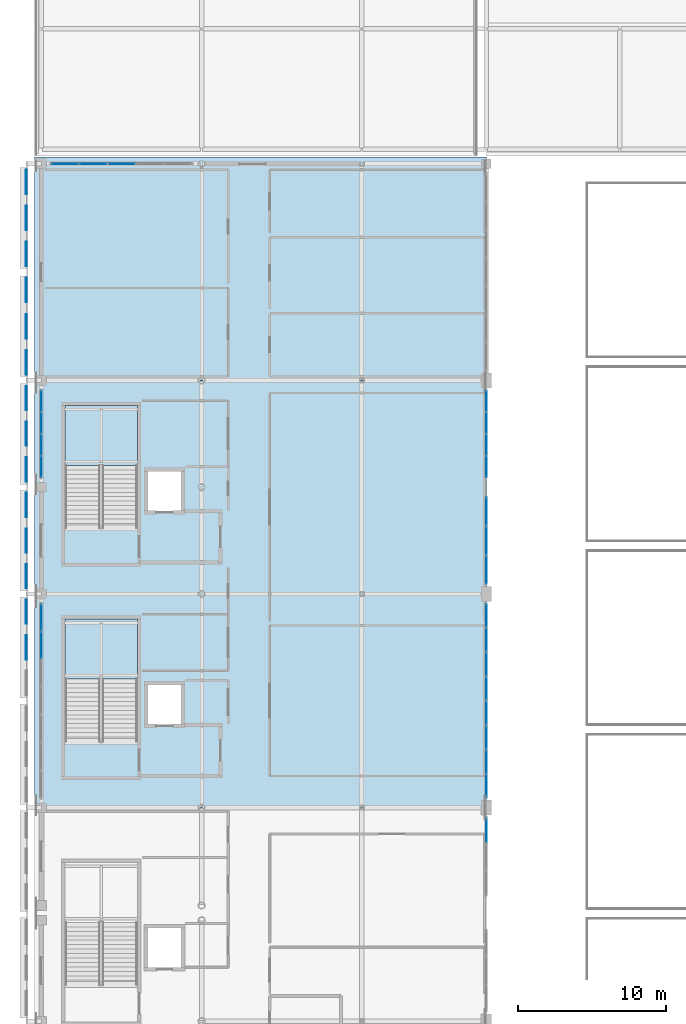
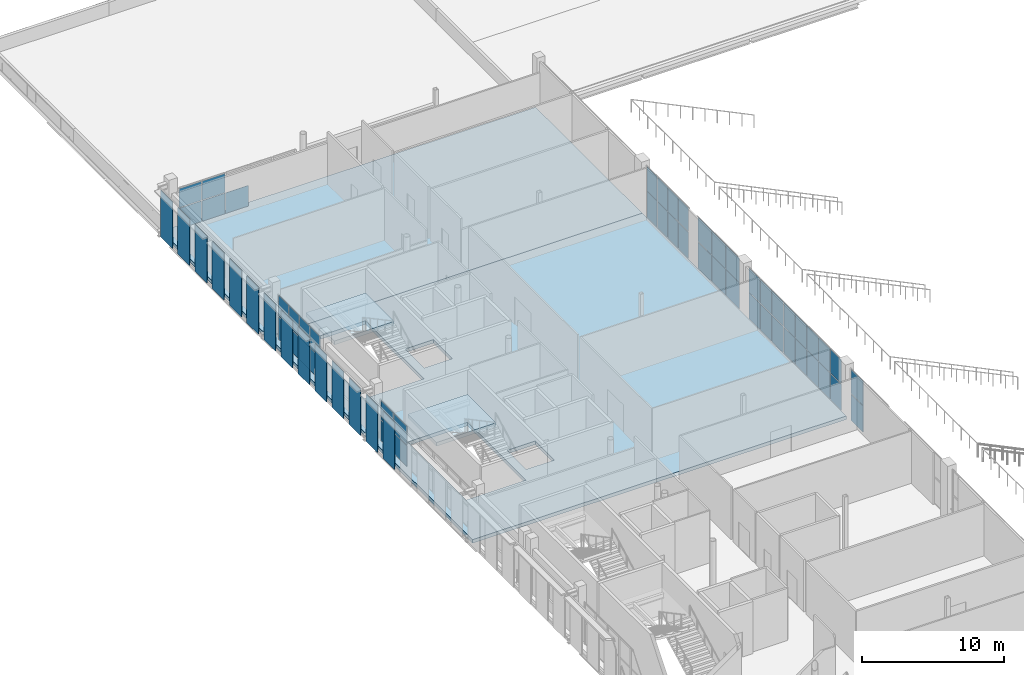
# One storey, part 55 of 104: 63 plates, 4 slabs, 9 elements without a shape of their own.
"""IFC4 building model written with IfcOpenShell, lengths in metres."""

from ifc_helpers import new_model, si_unit, direction, frame, origin, origin_2d, place, context, subcontext, project, spatial, polyline, rectangle, outline, extrude, material, layer, layer_set, type_object, element, aggregate, save


model = new_model("IFC4")

# Units and contexts
model_context = context("Model", 3, precision=1e-05, world=origin(), true_north=direction((0.0, 1.0)))
body_context = subcontext(model_context, "Body", "Model", "MODEL_VIEW")
ifc_project = project(units=[si_unit("LENGTHUNIT", "METRE"), si_unit("AREAUNIT", "SQUARE_METRE"), si_unit("VOLUMEUNIT", "CUBIC_METRE"), si_unit("PLANEANGLEUNIT", "RADIAN"), si_unit("MASSUNIT", "GRAM", prefix="KILO")], contexts=[model_context])

# Site, building, storey
site_placement = place(None, origin())
site = spatial("IfcSite", under=ifc_project, at=site_placement, CompositionType="ELEMENT")
building_placement = place(site_placement, origin())
building = spatial("IfcBuilding", under=site, at=building_placement, Name="Koshinbarg Plaza Stadium", CompositionType="ELEMENT")
storey_placement = place(building_placement, frame((0.0, 0.0, 19.800048828125)))
storey = spatial("IfcBuildingStorey", under=building, at=storey_placement, Name="L04", CompositionType="ELEMENT", Elevation=19.800048828125)

# Curtain wall, plates
ifc_material_1 = material(Name="Thermally broken anodised aluminium and low-E double glazing", Category="aluminium")
curtain_wall_type_1 = type_object("IfcCurtainWallType", Name="CW-SYS-01", PredefinedType="NOTDEFINED", material=ifc_material_1)
curtain_wall_1_placement = place(storey_placement, origin())
curtain_wall_1 = element("IfcCurtainWall", 1, at=curtain_wall_1_placement, inside=storey, type_object=curtain_wall_type_1, Name="L04 unitised curtain wall CW-L04-096", PredefinedType="NOTDEFINED")
ifc_material_2 = material(Name="Solar-control low-E double glazing unit", Category="glass")
ifc_layer_1 = layer(ifc_material_2, 0.028076171875)
ifc_layer_set_1 = layer_set([ifc_layer_1], Name="Solar-control low-E double glazing unit")
plate_type_1 = type_object("IfcPlateType", Name="CW-PNL-28", PredefinedType="CURTAIN_PANEL", material=ifc_layer_set_1)
plate_1_placement = place(storey_placement, frame((24.60009765625, 106.080078125, 0.06005859375), z_axis=(0.0, 0.0, 1.0), x_axis=(0.0, 1.0, 0.0)))
plate_1 = element("IfcPlate", 2, at=plate_1_placement, type_object=plate_type_1, Name="CW01 panel 1.1", PredefinedType="CURTAIN_PANEL", context=body_context, shape_type="SweptSolid", body=[
    extrude(rectangle(XDim=1.39990234375, YDim=0.028076171875, at=origin_2d()), origin(), (0.0, 0.0, 1.0), 1.927490234375),
])
plate_2_placement = place(storey_placement, frame((24.60009765625, 106.080078125, 2.047607421875), z_axis=(0.0, 0.0, 1.0), x_axis=(0.0, 1.0, 0.0)))
plate_2 = element("IfcPlate", 3, at=plate_2_placement, type_object=plate_type_1, Name="CW01 panel 1.2", PredefinedType="CURTAIN_PANEL", context=body_context, shape_type="SweptSolid", body=[
    extrude(rectangle(XDim=1.39990234375, YDim=0.028076171875, at=origin_2d()), origin(), (0.0, 0.0, 1.0), 1.7724609375),
])
plate_3_placement = place(storey_placement, frame((24.60009765625, 107.554931640625, 0.06005859375), z_axis=(0.0, 0.0, 1.0), x_axis=(0.0, 1.0, 0.0)))
plate_3 = element("IfcPlate", 4, at=plate_3_placement, type_object=plate_type_1, Name="CW01 panel 2.1", PredefinedType="CURTAIN_PANEL", context=body_context, shape_type="SweptSolid", body=[
    extrude(rectangle(XDim=1.429931640625, YDim=0.028076171875, at=origin_2d()), origin(), (0.0, 0.0, 1.0), 1.927490234375),
])
plate_4_placement = place(storey_placement, frame((24.60009765625, 107.554931640625, 2.047607421875), z_axis=(0.0, 0.0, 1.0), x_axis=(0.0, 1.0, 0.0)))
plate_4 = element("IfcPlate", 5, at=plate_4_placement, type_object=plate_type_1, Name="CW01 panel 2.2", PredefinedType="CURTAIN_PANEL", context=body_context, shape_type="SweptSolid", body=[
    extrude(rectangle(XDim=1.429931640625, YDim=0.028076171875, at=origin_2d()), origin(), (0.0, 0.0, 1.0), 1.7724609375),
])
plate_5_placement = place(storey_placement, frame((24.60009765625, 109.044921875, 0.06005859375), z_axis=(0.0, 0.0, 1.0), x_axis=(0.0, 1.0, 0.0)))
plate_5 = element("IfcPlate", 6, at=plate_5_placement, type_object=plate_type_1, Name="CW01 panel 3.1", PredefinedType="CURTAIN_PANEL", context=body_context, shape_type="SweptSolid", body=[
    extrude(rectangle(XDim=1.429931640625, YDim=0.028076171875, at=origin_2d()), origin(), (0.0, 0.0, 1.0), 1.927490234375),
])
plate_6_placement = place(storey_placement, frame((24.60009765625, 109.044921875, 2.047607421875), z_axis=(0.0, 0.0, 1.0), x_axis=(0.0, 1.0, 0.0)))
plate_6 = element("IfcPlate", 7, at=plate_6_placement, type_object=plate_type_1, Name="CW01 panel 3.2", PredefinedType="CURTAIN_PANEL", context=body_context, shape_type="SweptSolid", body=[
    extrude(rectangle(XDim=1.429931640625, YDim=0.028076171875, at=origin_2d()), origin(), (0.0, 0.0, 1.0), 1.7724609375),
])
plate_7_placement = place(storey_placement, frame((24.60009765625, 110.52001953125, 0.06005859375), z_axis=(0.0, 0.0, 1.0), x_axis=(0.0, 1.0, 0.0)))
plate_7 = element("IfcPlate", 8, at=plate_7_placement, type_object=plate_type_1, Name="CW01 panel 4.1", PredefinedType="CURTAIN_PANEL", context=body_context, shape_type="SweptSolid", body=[
    extrude(rectangle(XDim=1.39990234375, YDim=0.028076171875, at=origin_2d()), origin(), (0.0, 0.0, 1.0), 1.927490234375),
])
plate_8_placement = place(storey_placement, frame((24.60009765625, 110.52001953125, 2.047607421875), z_axis=(0.0, 0.0, 1.0), x_axis=(0.0, 1.0, 0.0)))
plate_8 = element("IfcPlate", 9, at=plate_8_placement, type_object=plate_type_1, Name="CW01 panel 4.2", PredefinedType="CURTAIN_PANEL", context=body_context, shape_type="SweptSolid", body=[
    extrude(rectangle(XDim=1.39990234375, YDim=0.028076171875, at=origin_2d()), origin(), (0.0, 0.0, 1.0), 1.7724609375),
])
aggregate(curtain_wall_1, [plate_1, plate_2, plate_3, plate_4, plate_5, plate_6, plate_7, plate_8])

curtain_wall_2_placement = place(storey_placement, origin())
curtain_wall_2 = element("IfcCurtainWall", 10, at=curtain_wall_2_placement, inside=storey, type_object=curtain_wall_type_1, Name="L04 unitised curtain wall CW-L04-112", PredefinedType="NOTDEFINED")
plate_9_placement = place(storey_placement, frame((54.60009765625, 110.52001953125, 0.06005859375), z_axis=(0.0, 0.0, 1.0), x_axis=(0.0, -1.0, 0.0)))
plate_9 = element("IfcPlate", 11, at=plate_9_placement, type_object=plate_type_1, Name="CW01 panel 1.1", PredefinedType="CURTAIN_PANEL", context=body_context, shape_type="SweptSolid", body=[
    extrude(rectangle(XDim=1.39990234375, YDim=0.028076171875, at=origin_2d()), origin(), (0.0, 0.0, 1.0), 2.239501953125),
])
plate_10_placement = place(storey_placement, frame((54.60009765625, 110.52001953125, 2.359375), z_axis=(0.0, 0.0, 1.0), x_axis=(0.0, -1.0, 0.0)))
plate_10 = element("IfcPlate", 12, at=plate_10_placement, type_object=plate_type_1, Name="CW01 panel 1.2", PredefinedType="CURTAIN_PANEL", context=body_context, shape_type="SweptSolid", body=[
    extrude(rectangle(XDim=1.39990234375, YDim=0.028076171875, at=origin_2d()), origin(), (0.0, 0.0, 1.0), 2.060302734375),
])
plate_11_placement = place(storey_placement, frame((54.60009765625, 109.044921875, 0.06005859375), z_axis=(0.0, 0.0, 1.0), x_axis=(0.0, -1.0, 0.0)))
plate_11 = element("IfcPlate", 13, at=plate_11_placement, type_object=plate_type_1, Name="CW01 panel 2.1", PredefinedType="CURTAIN_PANEL", context=body_context, shape_type="SweptSolid", body=[
    extrude(rectangle(XDim=1.429931640625, YDim=0.028076171875, at=origin_2d()), origin(), (0.0, 0.0, 1.0), 2.239501953125),
])
plate_12_placement = place(storey_placement, frame((54.60009765625, 109.044921875, 2.359375), z_axis=(0.0, 0.0, 1.0), x_axis=(0.0, -1.0, 0.0)))
plate_12 = element("IfcPlate", 14, at=plate_12_placement, type_object=plate_type_1, Name="CW01 panel 2.2", PredefinedType="CURTAIN_PANEL", context=body_context, shape_type="SweptSolid", body=[
    extrude(rectangle(XDim=1.429931640625, YDim=0.028076171875, at=origin_2d()), origin(), (0.0, 0.0, 1.0), 2.060302734375),
])
plate_13_placement = place(storey_placement, frame((54.60009765625, 107.554931640625, 0.06005859375), z_axis=(0.0, 0.0, 1.0), x_axis=(0.0, -1.0, 0.0)))
plate_13 = element("IfcPlate", 15, at=plate_13_placement, type_object=plate_type_1, Name="CW01 panel 3.1", PredefinedType="CURTAIN_PANEL", context=body_context, shape_type="SweptSolid", body=[
    extrude(rectangle(XDim=1.429931640625, YDim=0.028076171875, at=origin_2d()), origin(), (0.0, 0.0, 1.0), 2.239501953125),
])
plate_14_placement = place(storey_placement, frame((54.60009765625, 107.554931640625, 2.359375), z_axis=(0.0, 0.0, 1.0), x_axis=(0.0, -1.0, 0.0)))
plate_14 = element("IfcPlate", 16, at=plate_14_placement, type_object=plate_type_1, Name="CW01 panel 3.2", PredefinedType="CURTAIN_PANEL", context=body_context, shape_type="SweptSolid", body=[
    extrude(rectangle(XDim=1.429931640625, YDim=0.028076171875, at=origin_2d()), origin(), (0.0, 0.0, 1.0), 2.060302734375),
])
plate_15_placement = place(storey_placement, frame((54.60009765625, 106.080078125, 0.06005859375), z_axis=(0.0, 0.0, 1.0), x_axis=(0.0, -1.0, 0.0)))
plate_15 = element("IfcPlate", 17, at=plate_15_placement, type_object=plate_type_1, Name="CW01 panel 4.1", PredefinedType="CURTAIN_PANEL", context=body_context, shape_type="SweptSolid", body=[
    extrude(rectangle(XDim=1.39990234375, YDim=0.028076171875, at=origin_2d()), origin(), (0.0, 0.0, 1.0), 2.239501953125),
])
plate_16_placement = place(storey_placement, frame((54.60009765625, 106.080078125, 2.359375), z_axis=(0.0, 0.0, 1.0), x_axis=(0.0, -1.0, 0.0)))
plate_16 = element("IfcPlate", 18, at=plate_16_placement, type_object=plate_type_1, Name="CW01 panel 4.2", PredefinedType="CURTAIN_PANEL", context=body_context, shape_type="SweptSolid", body=[
    extrude(rectangle(XDim=1.39990234375, YDim=0.028076171875, at=origin_2d()), origin(), (0.0, 0.0, 1.0), 2.060302734375),
])
aggregate(curtain_wall_2, [plate_9, plate_10, plate_11, plate_12, plate_13, plate_14, plate_15, plate_16])

curtain_wall_type_2 = type_object("IfcCurtainWallType", Name="CW-SYS-03", PredefinedType="NOTDEFINED", material=ifc_material_1)
curtain_wall_3_placement = place(storey_placement, origin())
curtain_wall_3 = element("IfcCurtainWall", 19, at=curtain_wall_3_placement, inside=storey, type_object=curtain_wall_type_2, Name="L04 unitised curtain wall CW-L04-114", PredefinedType="NOTDEFINED")
plate_17_placement = place(storey_placement, frame((54.60009765625, 96.04248046875, 0.06005859375), z_axis=(0.0, 0.0, 1.0), x_axis=(0.0, -1.0, 0.0)))
plate_17 = element("IfcPlate", 20, at=plate_17_placement, type_object=plate_type_1, Name="CW03 panel 1.1", PredefinedType="CURTAIN_PANEL", context=body_context, shape_type="SweptSolid", body=[
    extrude(rectangle(XDim=1.554931640625, YDim=0.028076171875, at=origin_2d()), origin(), (0.0, 0.0, 1.0), 2.239501953125),
])
plate_18_placement = place(storey_placement, frame((54.60009765625, 96.04248046875, 2.359375), z_axis=(0.0, 0.0, 1.0), x_axis=(0.0, -1.0, 0.0)))
plate_18 = element("IfcPlate", 21, at=plate_18_placement, type_object=plate_type_1, Name="CW03 panel 1.2", PredefinedType="CURTAIN_PANEL", context=body_context, shape_type="SweptSolid", body=[
    extrude(rectangle(XDim=1.554931640625, YDim=0.028076171875, at=origin_2d()), origin(), (0.0, 0.0, 1.0), 2.060302734375),
])
plate_19_placement = place(storey_placement, frame((54.60009765625, 94.41259765625, 0.06005859375), z_axis=(0.0, 0.0, 1.0), x_axis=(0.0, -1.0, 0.0)))
plate_19 = element("IfcPlate", 22, at=plate_19_placement, type_object=plate_type_1, Name="CW03 panel 2.1", PredefinedType="CURTAIN_PANEL", context=body_context, shape_type="SweptSolid", body=[
    extrude(rectangle(XDim=1.5849609375, YDim=0.028076171875, at=origin_2d()), origin(), (0.0, 0.0, 1.0), 2.239501953125),
])
plate_20_placement = place(storey_placement, frame((54.60009765625, 94.41259765625, 2.359375), z_axis=(0.0, 0.0, 1.0), x_axis=(0.0, -1.0, 0.0)))
plate_20 = element("IfcPlate", 23, at=plate_20_placement, type_object=plate_type_1, Name="CW03 panel 2.2", PredefinedType="CURTAIN_PANEL", context=body_context, shape_type="SweptSolid", body=[
    extrude(rectangle(XDim=1.5849609375, YDim=0.028076171875, at=origin_2d()), origin(), (0.0, 0.0, 1.0), 2.060302734375),
])
plate_21_placement = place(storey_placement, frame((54.60009765625, 92.767578125, 0.06005859375), z_axis=(0.0, 0.0, 1.0), x_axis=(0.0, -1.0, 0.0)))
plate_21 = element("IfcPlate", 24, at=plate_21_placement, type_object=plate_type_1, Name="CW03 panel 3.1", PredefinedType="CURTAIN_PANEL", context=body_context, shape_type="SweptSolid", body=[
    extrude(rectangle(XDim=1.5849609375, YDim=0.028076171875, at=origin_2d()), origin(), (0.0, 0.0, 1.0), 2.239501953125),
])
plate_22_placement = place(storey_placement, frame((54.60009765625, 92.767578125, 2.359375), z_axis=(0.0, 0.0, 1.0), x_axis=(0.0, -1.0, 0.0)))
plate_22 = element("IfcPlate", 25, at=plate_22_placement, type_object=plate_type_1, Name="CW03 panel 3.2", PredefinedType="CURTAIN_PANEL", context=body_context, shape_type="SweptSolid", body=[
    extrude(rectangle(XDim=1.5849609375, YDim=0.028076171875, at=origin_2d()), origin(), (0.0, 0.0, 1.0), 2.060302734375),
])
plate_23_placement = place(storey_placement, frame((54.60009765625, 91.12255859375, 0.06005859375), z_axis=(0.0, 0.0, 1.0), x_axis=(0.0, -1.0, 0.0)))
plate_23 = element("IfcPlate", 26, at=plate_23_placement, type_object=plate_type_1, Name="CW03 panel 4.1", PredefinedType="CURTAIN_PANEL", context=body_context, shape_type="SweptSolid", body=[
    extrude(rectangle(XDim=1.5849609375, YDim=0.028076171875, at=origin_2d()), origin(), (0.0, 0.0, 1.0), 2.239501953125),
])
plate_24_placement = place(storey_placement, frame((54.60009765625, 91.12255859375, 2.359375), z_axis=(0.0, 0.0, 1.0), x_axis=(0.0, -1.0, 0.0)))
plate_24 = element("IfcPlate", 27, at=plate_24_placement, type_object=plate_type_1, Name="CW03 panel 4.2", PredefinedType="CURTAIN_PANEL", context=body_context, shape_type="SweptSolid", body=[
    extrude(rectangle(XDim=1.5849609375, YDim=0.028076171875, at=origin_2d()), origin(), (0.0, 0.0, 1.0), 2.060302734375),
])
plate_25_placement = place(storey_placement, frame((54.60009765625, 89.4775390625, 0.06005859375), z_axis=(0.0, 0.0, 1.0), x_axis=(0.0, -1.0, 0.0)))
plate_25 = element("IfcPlate", 28, at=plate_25_placement, type_object=plate_type_1, Name="CW03 panel 5.1", PredefinedType="CURTAIN_PANEL", context=body_context, shape_type="SweptSolid", body=[
    extrude(rectangle(XDim=1.5849609375, YDim=0.028076171875, at=origin_2d()), origin(), (0.0, 0.0, 1.0), 2.239501953125),
])
plate_26_placement = place(storey_placement, frame((54.60009765625, 89.4775390625, 2.359375), z_axis=(0.0, 0.0, 1.0), x_axis=(0.0, -1.0, 0.0)))
plate_26 = element("IfcPlate", 29, at=plate_26_placement, type_object=plate_type_1, Name="CW03 panel 5.2", PredefinedType="CURTAIN_PANEL", context=body_context, shape_type="SweptSolid", body=[
    extrude(rectangle(XDim=1.5849609375, YDim=0.028076171875, at=origin_2d()), origin(), (0.0, 0.0, 1.0), 2.060302734375),
])
plate_27_placement = place(storey_placement, frame((54.60009765625, 87.83251953125, 0.06005859375), z_axis=(0.0, 0.0, 1.0), x_axis=(0.0, -1.0, 0.0)))
plate_27 = element("IfcPlate", 30, at=plate_27_placement, type_object=plate_type_1, Name="CW03 panel 6.1", PredefinedType="CURTAIN_PANEL", context=body_context, shape_type="SweptSolid", body=[
    extrude(rectangle(XDim=1.5849609375, YDim=0.028076171875, at=origin_2d()), origin(), (0.0, 0.0, 1.0), 2.239501953125),
])
plate_28_placement = place(storey_placement, frame((54.60009765625, 87.83251953125, 2.359375), z_axis=(0.0, 0.0, 1.0), x_axis=(0.0, -1.0, 0.0)))
plate_28 = element("IfcPlate", 31, at=plate_28_placement, type_object=plate_type_1, Name="CW03 panel 6.2", PredefinedType="CURTAIN_PANEL", context=body_context, shape_type="SweptSolid", body=[
    extrude(rectangle(XDim=1.5849609375, YDim=0.028076171875, at=origin_2d()), origin(), (0.0, 0.0, 1.0), 2.060302734375),
])
plate_29_placement = place(storey_placement, frame((54.60009765625, 86.1875, 0.06005859375), z_axis=(0.0, 0.0, 1.0), x_axis=(0.0, -1.0, 0.0)))
plate_29 = element("IfcPlate", 32, at=plate_29_placement, type_object=plate_type_1, Name="CW03 panel 7.1", PredefinedType="CURTAIN_PANEL", context=body_context, shape_type="SweptSolid", body=[
    extrude(rectangle(XDim=1.5849609375, YDim=0.028076171875, at=origin_2d()), origin(), (0.0, 0.0, 1.0), 2.239501953125),
])
plate_30_placement = place(storey_placement, frame((54.60009765625, 86.1875, 2.359375), z_axis=(0.0, 0.0, 1.0), x_axis=(0.0, -1.0, 0.0)))
plate_30 = element("IfcPlate", 33, at=plate_30_placement, type_object=plate_type_1, Name="CW03 panel 7.2", PredefinedType="CURTAIN_PANEL", context=body_context, shape_type="SweptSolid", body=[
    extrude(rectangle(XDim=1.5849609375, YDim=0.028076171875, at=origin_2d()), origin(), (0.0, 0.0, 1.0), 2.060302734375),
])
plate_31_placement = place(storey_placement, frame((54.60009765625, 84.5576171875, 0.06005859375), z_axis=(0.0, 0.0, 1.0), x_axis=(0.0, -1.0, 0.0)))
plate_31 = element("IfcPlate", 34, at=plate_31_placement, type_object=plate_type_1, Name="CW03 panel 8.1", PredefinedType="CURTAIN_PANEL", context=body_context, shape_type="SweptSolid", body=[
    extrude(rectangle(XDim=1.554931640625, YDim=0.028076171875, at=origin_2d()), origin(), (0.0, 0.0, 1.0), 2.239501953125),
])
plate_32_placement = place(storey_placement, frame((54.60009765625, 84.5576171875, 2.359375), z_axis=(0.0, 0.0, 1.0), x_axis=(0.0, -1.0, 0.0)))
plate_32 = element("IfcPlate", 35, at=plate_32_placement, type_object=plate_type_1, Name="CW03 panel 8.2", PredefinedType="CURTAIN_PANEL", context=body_context, shape_type="SweptSolid", body=[
    extrude(rectangle(XDim=1.554931640625, YDim=0.028076171875, at=origin_2d()), origin(), (0.0, 0.0, 1.0), 2.060302734375),
])
aggregate(curtain_wall_3, [plate_17, plate_18, plate_19, plate_20, plate_21, plate_22, plate_23, plate_24, plate_25, plate_26, plate_27, plate_28, plate_29, plate_30, plate_31, plate_32])

curtain_wall_type_3 = type_object("IfcCurtainWallType", Name="CW-SYS-16", PredefinedType="NOTDEFINED", material=ifc_material_1)
curtain_wall_4_placement = place(storey_placement, origin())
curtain_wall_4 = element("IfcCurtainWall", 36, at=curtain_wall_4_placement, inside=storey, type_object=curtain_wall_type_3, Name="L04 unitised curtain wall CW-L04-095", PredefinedType="NOTDEFINED")
ifc_material_3 = material(Name="Acoustic solar-control double glazing unit", Category="glass")
ifc_layer_2 = layer(ifc_material_3, 0.031982421875)
ifc_layer_set_2 = layer_set([ifc_layer_2], Name="Acoustic solar-control double glazing unit")
plate_type_2 = type_object("IfcPlateType", Name="CW-PNL-32", PredefinedType="CURTAIN_PANEL", material=ifc_layer_set_2)
plate_33_placement = place(storey_placement, frame((24.60009765625, 94.06005859375, 0.06005859375), z_axis=(0.0, 0.0, 1.0), x_axis=(0.0, 1.0, 0.0)))
plate_33 = element("IfcPlate", 37, at=plate_33_placement, type_object=plate_type_2, Name="CW16 panel 6.1", PredefinedType="CURTAIN_PANEL", context=body_context, shape_type="SweptSolid", body=[
    extrude(rectangle(XDim=1.820068359375, YDim=0.031982421875, at=origin_2d()), origin(), (0.0, 0.0, 1.0), 1.771484375),
])
plate_34_placement = place(storey_placement, frame((24.60009765625, 94.06005859375, 1.8916015625), z_axis=(0.0, 0.0, 1.0), x_axis=(0.0, 1.0, 0.0)))
plate_34 = element("IfcPlate", 38, at=plate_34_placement, type_object=plate_type_2, Name="CW16 panel 6.2", PredefinedType="CURTAIN_PANEL", context=body_context, shape_type="SweptSolid", body=[
    extrude(rectangle(XDim=1.820068359375, YDim=0.031982421875, at=origin_2d()), origin(), (0.0, 0.0, 1.0), 1.62841796875),
])
plate_35_placement = place(storey_placement, frame((24.60009765625, 95.925048828125, 0.06005859375), z_axis=(0.0, 0.0, 1.0), x_axis=(0.0, 1.0, 0.0)))
plate_35 = element("IfcPlate", 39, at=plate_35_placement, type_object=plate_type_2, Name="CW16 panel 7.1", PredefinedType="CURTAIN_PANEL", context=body_context, shape_type="SweptSolid", body=[
    extrude(rectangle(XDim=1.7900390625, YDim=0.031982421875, at=origin_2d()), origin(), (0.0, 0.0, 1.0), 1.771484375),
])
plate_36_placement = place(storey_placement, frame((24.60009765625, 95.925048828125, 1.8916015625), z_axis=(0.0, 0.0, 1.0), x_axis=(0.0, 1.0, 0.0)))
plate_36 = element("IfcPlate", 40, at=plate_36_placement, type_object=plate_type_2, Name="CW16 panel 7.2", PredefinedType="CURTAIN_PANEL", context=body_context, shape_type="SweptSolid", body=[
    extrude(rectangle(XDim=1.7900390625, YDim=0.031982421875, at=origin_2d()), origin(), (0.0, 0.0, 1.0), 1.62841796875),
])
aggregate(curtain_wall_4, [plate_33, plate_34, plate_35, plate_36])

curtain_wall_type_4 = type_object("IfcCurtainWallType", Name="CW-SYS-02", PredefinedType="NOTDEFINED", material=ifc_material_1)
curtain_wall_5_placement = place(storey_placement, origin())
curtain_wall_5 = element("IfcCurtainWall", 41, at=curtain_wall_5_placement, inside=storey, type_object=curtain_wall_type_4, Name="L04 unitised curtain wall CW-L04-097", PredefinedType="NOTDEFINED")
plate_37_placement = place(storey_placement, frame((26.19091796875, 126.5, 0.06005859375), z_axis=(0.0, 0.0, 1.0), x_axis=(1.0, 0.0, 0.0)))
plate_37 = element("IfcPlate", 42, at=plate_37_placement, type_object=plate_type_2, Name="CW02 panel 1.1", PredefinedType="CURTAIN_PANEL", context=body_context, shape_type="SweptSolid", body=[
    extrude(rectangle(XDim=1.822021484375, YDim=0.031982421875, at=origin_2d()), origin(), (0.0, 0.0, 1.0), 1.771484375),
])
plate_38_placement = place(storey_placement, frame((26.19091796875, 126.5, 1.8916015625), z_axis=(0.0, 0.0, 1.0), x_axis=(1.0, 0.0, 0.0)))
plate_38 = element("IfcPlate", 43, at=plate_38_placement, type_object=plate_type_2, Name="CW02 panel 1.2", PredefinedType="CURTAIN_PANEL", context=body_context, shape_type="SweptSolid", body=[
    extrude(rectangle(XDim=1.822021484375, YDim=0.031982421875, at=origin_2d()), origin(), (0.0, 0.0, 1.0), 1.62841796875),
])
plate_39_placement = place(storey_placement, frame((28.087890625, 126.5, 0.06005859375), z_axis=(0.0, 0.0, 1.0), x_axis=(1.0, 0.0, 0.0)))
plate_39 = element("IfcPlate", 44, at=plate_39_placement, type_object=plate_type_2, Name="CW02 panel 2.1", PredefinedType="CURTAIN_PANEL", context=body_context, shape_type="SweptSolid", body=[
    extrude(rectangle(XDim=1.85205078125, YDim=0.031982421875, at=origin_2d()), origin(), (0.0, 0.0, 1.0), 1.771484375),
])
plate_40_placement = place(storey_placement, frame((28.087890625, 126.5, 1.8916015625), z_axis=(0.0, 0.0, 1.0), x_axis=(1.0, 0.0, 0.0)))
plate_40 = element("IfcPlate", 45, at=plate_40_placement, type_object=plate_type_2, Name="CW02 panel 2.2", PredefinedType="CURTAIN_PANEL", context=body_context, shape_type="SweptSolid", body=[
    extrude(rectangle(XDim=1.85205078125, YDim=0.031982421875, at=origin_2d()), origin(), (0.0, 0.0, 1.0), 1.62841796875),
])
plate_41_placement = place(storey_placement, frame((30.0, 126.5, 0.06005859375), z_axis=(0.0, 0.0, 1.0), x_axis=(1.0, 0.0, 0.0)))
plate_41 = element("IfcPlate", 46, at=plate_41_placement, type_object=plate_type_2, Name="CW02 panel 3.1", PredefinedType="CURTAIN_PANEL", context=body_context, shape_type="SweptSolid", body=[
    extrude(rectangle(XDim=1.85205078125, YDim=0.031982421875, at=origin_2d()), origin(), (0.0, 0.0, 1.0), 1.771484375),
])
aggregate(curtain_wall_5, [plate_37, plate_38, plate_39, plate_40, plate_41])

curtain_wall_6_placement = place(storey_placement, origin())
curtain_wall_6 = element("IfcCurtainWall", 47, at=curtain_wall_6_placement, inside=storey, type_object=curtain_wall_type_4, Name="L04 unitised curtain wall CW-L04-113", PredefinedType="NOTDEFINED")
plate_42_placement = place(storey_placement, frame((54.60009765625, 103.07177734375, 0.06005859375), z_axis=(0.0, 0.0, 1.0), x_axis=(0.0, -1.0, 0.0)))
plate_42 = element("IfcPlate", 48, at=plate_42_placement, type_object=plate_type_2, Name="CW02 panel 1.1", PredefinedType="CURTAIN_PANEL", context=body_context, shape_type="SweptSolid", body=[
    extrude(rectangle(XDim=1.896728515625, YDim=0.031982421875, at=origin_2d()), origin(), (0.0, 0.0, 1.0), 2.239501953125),
])
plate_43_placement = place(storey_placement, frame((54.60009765625, 103.07177734375, 2.359375), z_axis=(0.0, 0.0, 1.0), x_axis=(0.0, -1.0, 0.0)))
plate_43 = element("IfcPlate", 49, at=plate_43_placement, type_object=plate_type_2, Name="CW02 panel 1.2", PredefinedType="CURTAIN_PANEL", context=body_context, shape_type="SweptSolid", body=[
    extrude(rectangle(XDim=1.896728515625, YDim=0.031982421875, at=origin_2d()), origin(), (0.0, 0.0, 1.0), 2.060302734375),
])
plate_44_placement = place(storey_placement, frame((54.60009765625, 101.10009765625, 0.06005859375), z_axis=(0.0, 0.0, 1.0), x_axis=(0.0, -1.0, 0.0)))
plate_44 = element("IfcPlate", 50, at=plate_44_placement, type_object=plate_type_2, Name="CW02 panel 2.1", PredefinedType="CURTAIN_PANEL", context=body_context, shape_type="SweptSolid", body=[
    extrude(rectangle(XDim=1.9267578125, YDim=0.031982421875, at=origin_2d()), origin(), (0.0, 0.0, 1.0), 2.239501953125),
])
plate_45_placement = place(storey_placement, frame((54.60009765625, 101.10009765625, 2.359375), z_axis=(0.0, 0.0, 1.0), x_axis=(0.0, -1.0, 0.0)))
plate_45 = element("IfcPlate", 51, at=plate_45_placement, type_object=plate_type_2, Name="CW02 panel 2.2", PredefinedType="CURTAIN_PANEL", context=body_context, shape_type="SweptSolid", body=[
    extrude(rectangle(XDim=1.9267578125, YDim=0.031982421875, at=origin_2d()), origin(), (0.0, 0.0, 1.0), 2.060302734375),
])
plate_46_placement = place(storey_placement, frame((54.60009765625, 99.12841796875, 0.06005859375), z_axis=(0.0, 0.0, 1.0), x_axis=(0.0, -1.0, 0.0)))
plate_46 = element("IfcPlate", 52, at=plate_46_placement, type_object=plate_type_2, Name="CW02 panel 3.1", PredefinedType="CURTAIN_PANEL", context=body_context, shape_type="SweptSolid", body=[
    extrude(rectangle(XDim=1.896728515625, YDim=0.031982421875, at=origin_2d()), origin(), (0.0, 0.0, 1.0), 2.239501953125),
])
plate_47_placement = place(storey_placement, frame((54.60009765625, 99.12841796875, 2.359375), z_axis=(0.0, 0.0, 1.0), x_axis=(0.0, -1.0, 0.0)))
plate_47 = element("IfcPlate", 53, at=plate_47_placement, type_object=plate_type_2, Name="CW02 panel 3.2", PredefinedType="CURTAIN_PANEL", context=body_context, shape_type="SweptSolid", body=[
    extrude(rectangle(XDim=1.896728515625, YDim=0.031982421875, at=origin_2d()), origin(), (0.0, 0.0, 1.0), 2.060302734375),
])
aggregate(curtain_wall_6, [plate_42, plate_43, plate_44, plate_45, plate_46, plate_47])

curtain_wall_type_5 = type_object("IfcCurtainWallType", Name="CW-SYS-04", PredefinedType="NOTDEFINED", material=ifc_material_1)
curtain_wall_7_placement = place(storey_placement, origin())
curtain_wall_7 = element("IfcCurtainWall", 54, at=curtain_wall_7_placement, inside=storey, type_object=curtain_wall_type_5, Name="L04 unitised curtain wall CW-L04-115", PredefinedType="NOTDEFINED")
plate_48_placement = place(storey_placement, frame((54.60009765625, 81.57177734375, 0.06005859375), z_axis=(0.0, 0.0, 1.0), x_axis=(0.0, -1.0, 0.0)))
plate_48 = element("IfcPlate", 55, at=plate_48_placement, type_object=plate_type_2, Name="CW04 panel 1.1", PredefinedType="CURTAIN_PANEL", context=body_context, shape_type="SweptSolid", body=[
    extrude(rectangle(XDim=1.69677734375, YDim=0.031982421875, at=origin_2d()), origin(), (0.0, 0.0, 1.0), 2.239501953125),
])
plate_49_placement = place(storey_placement, frame((54.60009765625, 81.57177734375, 2.359375), z_axis=(0.0, 0.0, 1.0), x_axis=(0.0, -1.0, 0.0)))
plate_49 = element("IfcPlate", 56, at=plate_49_placement, type_object=plate_type_2, Name="CW04 panel 1.2", PredefinedType="CURTAIN_PANEL", context=body_context, shape_type="SweptSolid", body=[
    extrude(rectangle(XDim=1.69677734375, YDim=0.031982421875, at=origin_2d()), origin(), (0.0, 0.0, 1.0), 2.060302734375),
])
aggregate(curtain_wall_7, [plate_48, plate_49])

# Plates
ifc_material_4 = material(Name="Off-white mineral-coated perforated aluminium screen panel", Category="aluminium")
ifc_layer_3 = layer(ifc_material_4, 0.050048828125)
ifc_layer_set_3 = layer_set([ifc_layer_3], Name="Off-white mineral-coated perforated aluminium screen panel")
plate_type_3 = type_object("IfcPlateType", Name="PLT-SCR-50", PredefinedType="USERDEFINED", material=ifc_layer_set_3)
for number, where, z_axis, x_axis, name in (
    (57, (23.580078125, 96.300048828125, 0.19970703125), (0.0, 0.0, 1.0), (1.0, 0.0, 0.0), "L04 off-white leaf-pierced outer screen panel 072"),
    (58, (23.580078125, 101.10009765625, 0.19970703125), (0.0, 0.0, 1.0), (1.0, 0.0, 0.0), "L04 off-white leaf-pierced outer screen panel 074"),
    (59, (23.580078125, 105.89990234375, 0.19970703125), (0.0, 0.0, 1.0), (1.0, 0.0, 0.0), "L04 off-white leaf-pierced outer screen panel 076"),
    (60, (23.580078125, 110.699951171875, 0.19970703125), (0.0, 0.0, 1.0), (1.0, 0.0, 0.0), "L04 off-white leaf-pierced outer screen panel 078"),
):
    element("IfcPlate", number, at=place(storey_placement, frame(where, z_axis=z_axis, x_axis=x_axis)), inside=storey, type_object=plate_type_3, Name=name, ObjectType="SCREEN PANEL", PredefinedType="USERDEFINED", context=body_context, shape_type="SweptSolid", body=[
        extrude(rectangle(XDim=0.050048828125, YDim=1.632080078125, at=origin_2d()), origin(), (0.0, 0.0, 1.0), 4.030029296875),
    ])
for number, where, z_axis, x_axis, name in (
    (61, (23.580078125, 115.550048828125, 0.19970703125), (0.0, 0.0, 1.0), (1.0, 0.0, 0.0), "L04 off-white leaf-pierced outer screen panel 080"),
    (62, (23.580078125, 120.416748046875, 0.19970703125), (0.0, 0.0, 1.0), (1.0, 0.0, 0.0), "L04 off-white leaf-pierced outer screen panel 082"),
    (63, (23.580078125, 125.283203125, 0.19970703125), (0.0, 0.0, 1.0), (1.0, 0.0, 0.0), "L04 off-white leaf-pierced outer screen panel 084"),
):
    element("IfcPlate", number, at=place(storey_placement, frame(where, z_axis=z_axis, x_axis=x_axis)), inside=storey, type_object=plate_type_3, Name=name, ObjectType="SCREEN PANEL", PredefinedType="USERDEFINED", context=body_context, shape_type="SweptSolid", body=[
        extrude(rectangle(XDim=0.050048828125, YDim=1.65478515625, at=origin_2d()), origin(), (0.0, 0.0, 1.0), 4.030029296875),
    ])
ifc_material_5 = material(Name="Off-white mineral-coated leaf-aperture GRC screen panel")
ifc_layer_4 = layer(ifc_material_5, 0.06005859375)
ifc_layer_set_4 = layer_set([ifc_layer_4], Name="Off-white mineral-coated leaf-aperture GRC screen panel")
plate_type_4 = type_object("IfcPlateType", Name="PLT-SCR-60", PredefinedType="USERDEFINED", material=ifc_layer_set_4)
for number, where, z_axis, x_axis, name in (
    (64, (23.574951171875, 93.89990234375, 0.19970703125), (0.0, 0.0, 1.0), (1.0, 0.0, 0.0), "L04 off-white leaf-pierced outer screen panel 071"),
    (65, (23.574951171875, 98.699951171875, 0.19970703125), (0.0, 0.0, 1.0), (1.0, 0.0, 0.0), "L04 off-white leaf-pierced outer screen panel 073"),
    (66, (23.574951171875, 103.5, 0.19970703125), (0.0, 0.0, 1.0), (1.0, 0.0, 0.0), "L04 off-white leaf-pierced outer screen panel 075"),
    (67, (23.574951171875, 108.300048828125, 0.19970703125), (0.0, 0.0, 1.0), (1.0, 0.0, 0.0), "L04 off-white leaf-pierced outer screen panel 077"),
):
    element("IfcPlate", number, at=place(storey_placement, frame(where, z_axis=z_axis, x_axis=x_axis)), inside=storey, type_object=plate_type_4, Name=name, ObjectType="SCREEN PANEL", PredefinedType="USERDEFINED", context=body_context, shape_type="SweptSolid", body=[
        extrude(rectangle(XDim=0.06005859375, YDim=1.632080078125, at=origin_2d()), origin(), (0.0, 0.0, 1.0), 4.030029296875),
    ])
for number, where, z_axis, x_axis, name in (
    (68, (23.574951171875, 113.11669921875, 0.19970703125), (0.0, 0.0, 1.0), (1.0, 0.0, 0.0), "L04 off-white leaf-pierced outer screen panel 079"),
    (69, (23.574951171875, 117.9833984375, 0.19970703125), (0.0, 0.0, 1.0), (1.0, 0.0, 0.0), "L04 off-white leaf-pierced outer screen panel 081"),
    (70, (23.574951171875, 122.85009765625, 0.19970703125), (0.0, 0.0, 1.0), (1.0, 0.0, 0.0), "L04 off-white leaf-pierced outer screen panel 083"),
):
    element("IfcPlate", number, at=place(storey_placement, frame(where, z_axis=z_axis, x_axis=x_axis)), inside=storey, type_object=plate_type_4, Name=name, ObjectType="SCREEN PANEL", PredefinedType="USERDEFINED", context=body_context, shape_type="SweptSolid", body=[
        extrude(rectangle(XDim=0.06005859375, YDim=1.65478515625, at=origin_2d()), origin(), (0.0, 0.0, 1.0), 4.030029296875),
    ])

# Slabs
ifc_material_6 = material(Name="Concrete C35/45", Category="concrete")
ifc_layer_5 = layer(ifc_material_6, 0.300048828125)
ifc_layer_set_5 = layer_set([ifc_layer_5], Name="Concrete C35/45")
slab_type_1 = type_object("IfcSlabType", Name="SL-FLR-300", PredefinedType="FLOOR", material=ifc_layer_set_5)
slab_1_placement = place(storey_placement, frame((0.0, 0.0, -0.300048828125)))
element("IfcSlab", 71, at=slab_1_placement, inside=storey, type_object=slab_type_1, Name="L04 V1 structural slab 3", PredefinedType="FLOOR", context=body_context, shape_type="SweptSolid", body=[
    extrude(outline(polyline([(24.14501953125, 83.10009765625), (54.60009765625, 83.10009765625), (54.60009765625, 111.89990234375), (24.14501953125, 111.89990234375), (24.14501953125, 83.10009765625)]), holes=[polyline([(31.070068359375, 87.56005859375), (31.070068359375, 95.800048828125), (26.199951171875, 95.800048828125), (26.199951171875, 87.56005859375), (31.070068359375, 87.56005859375)]), polyline([(31.75, 88.699951171875), (34.050048828125, 88.699951171875), (34.050048828125, 91.39990234375), (31.75, 91.39990234375), (31.75, 88.699951171875)]), polyline([(31.070068359375, 101.9599609375), (31.070068359375, 110.199951171875), (26.199951171875, 110.199951171875), (26.199951171875, 101.9599609375), (31.070068359375, 101.9599609375)]), polyline([(31.75, 103.10009765625), (34.050048828125, 103.10009765625), (34.050048828125, 105.800048828125), (31.75, 105.800048828125), (31.75, 103.10009765625)])]), origin(), (0.0, 0.0, 1.0), 0.300048828125),
])
slab_2_placement = place(storey_placement, frame((0.0, 0.0, -0.300048828125)))
element("IfcSlab", 72, at=slab_2_placement, inside=storey, type_object=slab_type_1, Name="L04 V1 structural slab 4", PredefinedType="FLOOR", context=body_context, shape_type="SweptSolid", body=[
    extrude(outline(polyline([(24.14501953125, 111.89990234375), (54.60009765625, 111.89990234375), (54.60009765625, 126.955078125), (24.14501953125, 126.955078125), (24.14501953125, 111.89990234375)])), origin(), (0.0, 0.0, 1.0), 0.300048828125),
])

# Stair, slab
stair_type = type_object("IfcStairType", Name="ST-CORE-48", PredefinedType="HALF_TURN_STAIR", material=ifc_material_6)
stair_1_placement = place(storey_placement, origin())
stair_1 = element("IfcStair", 73, at=stair_1_placement, inside=storey, type_object=stair_type, Name="L04 Protected Exit Stair C05", PredefinedType="HALF_TURN_STAIR")
ifc_layer_6 = layer(ifc_material_6, 0.320068359375)
ifc_layer_set_6 = layer_set([ifc_layer_6], Name="Concrete C35/45")
slab_type_2 = type_object("IfcSlabType", Name="SL-STLAND-280", PredefinedType="LANDING", material=ifc_layer_set_6)
slab_3_placement = place(storey_placement, frame((0.0, 0.0, 2.079833984375)))
slab_3 = element("IfcSlab", 74, at=slab_3_placement, type_object=slab_type_2, Name="L04 Protected Exit Stair C05 landing 029", PredefinedType="LANDING", context=body_context, shape_type="SweptSolid", body=[
    extrude(outline(polyline([(31.070068359375, 91.760009765625), (31.070068359375, 95.800048828125), (26.199951171875, 95.800048828125), (26.199951171875, 91.760009765625), (31.070068359375, 91.760009765625)])), origin(), (0.0, 0.0, 1.0), 0.320068359375),
])
aggregate(stair_1, [slab_3])

stair_2_placement = place(storey_placement, origin())
stair_2 = element("IfcStair", 75, at=stair_2_placement, inside=storey, type_object=stair_type, Name="L04 Protected Exit Stair C06", PredefinedType="HALF_TURN_STAIR")
slab_4_placement = place(storey_placement, frame((0.0, 0.0, 2.079833984375)))
slab_4 = element("IfcSlab", 76, at=slab_4_placement, type_object=slab_type_2, Name="L04 Protected Exit Stair C06 landing 035", PredefinedType="LANDING", context=body_context, shape_type="SweptSolid", body=[
    extrude(outline(polyline([(31.070068359375, 106.159912109375), (31.070068359375, 110.199951171875), (26.199951171875, 110.199951171875), (26.199951171875, 106.159912109375), (31.070068359375, 106.159912109375)])), origin(), (0.0, 0.0, 1.0), 0.320068359375),
])
aggregate(stair_2, [slab_4])

save(model, "model.ifc")
